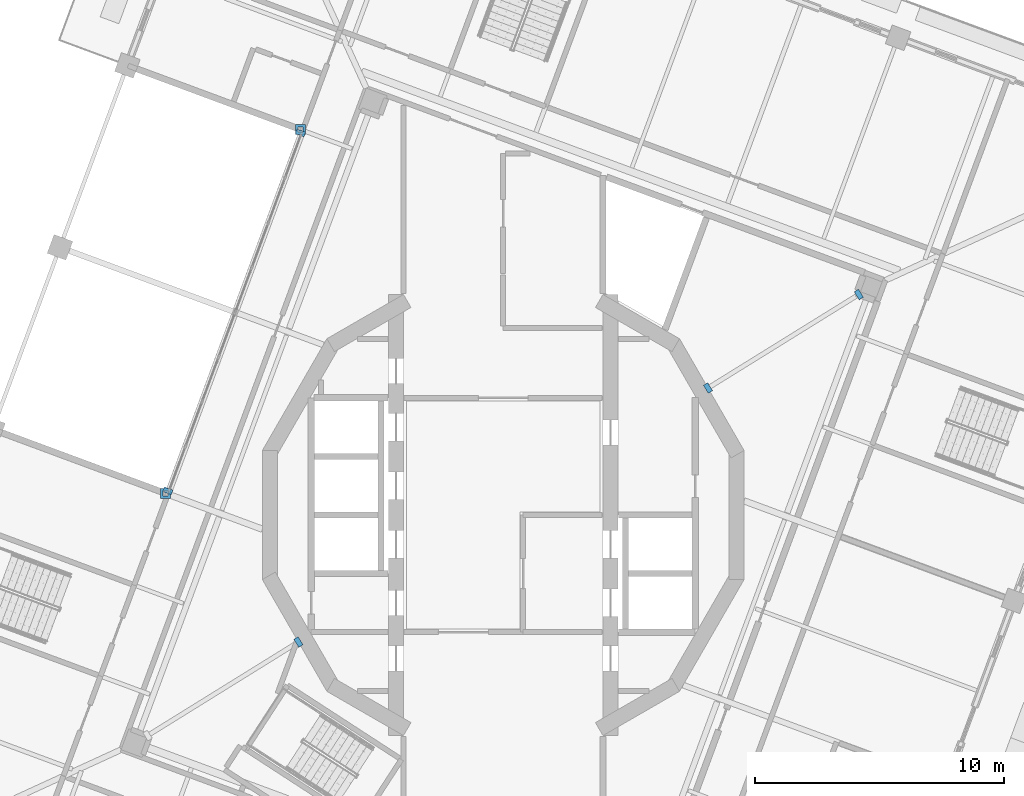
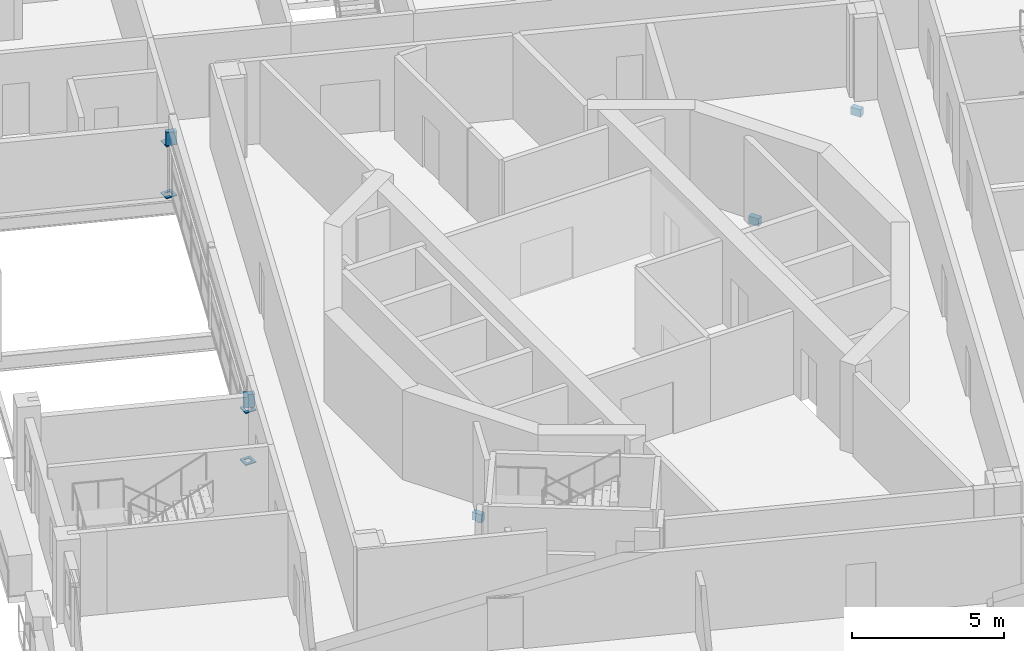
# One storey, part 14 of 20: 9 discrete accessories.
"""IFC4 building model written with IfcOpenShell, lengths in metres."""

from ifc_helpers import new_model, si_unit, direction, frame, origin, place, context, subcontext, project, spatial, polyline, outline, extrude, material, layer, layer_set, type_object, element, save


model = new_model("IFC4")

# Units and contexts
model_context = context("Model", 3, precision=1e-05, world=origin(), true_north=direction((0.0, 1.0)))
body_context = subcontext(model_context, "Body", "Model", "MODEL_VIEW")
ifc_project = project(units=[si_unit("LENGTHUNIT", "METRE"), si_unit("AREAUNIT", "SQUARE_METRE"), si_unit("VOLUMEUNIT", "CUBIC_METRE"), si_unit("PLANEANGLEUNIT", "RADIAN"), si_unit("MASSUNIT", "GRAM", prefix="KILO")], contexts=[model_context])

# Site, building, storey
site_placement = place(None, origin())
site = spatial("IfcSite", under=ifc_project, at=site_placement, CompositionType="ELEMENT")
building_placement = place(site_placement, origin())
building = spatial("IfcBuilding", under=site, at=building_placement, Name="Cantera Rosa Tower", CompositionType="ELEMENT")
storey_placement = place(building_placement, frame((0.0, 0.0, 309.699951171875)))
storey = spatial("IfcBuildingStorey", under=building, at=storey_placement, Name="L68", CompositionType="ELEMENT", Elevation=309.699951171875)

# Discrete accessories
ifc_material = material(Name="Steel ASTM A992 (Fy 345 MPa)", Category="steel")
ifc_layer = layer(ifc_material, 0.0400390625)
ifc_layer_set = layer_set([ifc_layer], Name="STEEL BEARING PLATE 40")
discrete_accessory_type = type_object("IfcDiscreteAccessoryType", Name="STEEL BEARING PLATE 40", PredefinedType="ANCHORPLATE", material=ifc_layer_set)
discrete_accessory_1_placement = place(storey_placement, frame((0.0, 0.0, -0.60595703125)))
element("IfcDiscreteAccessory", 1, at=discrete_accessory_1_placement, inside=storey, type_object=discrete_accessory_type, Name="BEARING PLATE PG-Z6-01 end 2 L68", PredefinedType="ANCHORPLATE", context=body_context, shape_type="SweptSolid", body=[
    extrude(outline(polyline([(-8.1982421875, -5.306640625), (-8.0283203125, -5.201416015625), (-8.2275390625, -4.880126953125), (-8.3974609375, -4.985595703125), (-8.1982421875, -5.306640625)])), origin(), (0.0, 0.0, 1.0), 0.305908203125),
])
discrete_accessory_2_placement = place(storey_placement, frame((0.0, 0.0, -0.60595703125)))
element("IfcDiscreteAccessory", 2, at=discrete_accessory_2_placement, inside=storey, type_object=discrete_accessory_type, Name="BEARING PLATE PG-Z6-02 end 1 L68", PredefinedType="ANCHORPLATE", context=body_context, shape_type="SweptSolid", body=[
    extrude(outline(polyline([(14.277099609375, 8.6318359375), (14.447021484375, 8.7373046875), (14.247802734375, 9.05859375), (14.077880859375, 8.953125), (14.277099609375, 8.6318359375)])), origin(), (0.0, 0.0, 1.0), 0.305908203125),
])
discrete_accessory_3_placement = place(storey_placement, frame((0.0, 0.0, -0.60595703125)))
element("IfcDiscreteAccessory", 3, at=discrete_accessory_3_placement, inside=storey, type_object=discrete_accessory_type, Name="BEARING PLATE PG-Z6-02 end 2 L68", PredefinedType="ANCHORPLATE", context=body_context, shape_type="SweptSolid", body=[
    extrude(outline(polyline([(8.1982421875, 5.306640625), (8.0283203125, 5.201416015625), (8.2275390625, 4.880126953125), (8.3974609375, 4.985595703125), (8.1982421875, 5.306640625)])), origin(), (0.0, 0.0, 1.0), 0.305908203125),
])
for number, where, name in (
    (4, (0.0, 0.0, 0.0), "POST PLATE L68-1F"),
    (5, (0.0, 0.0, 2.090087890625), "POST PLATE L68-1T"),
):
    element("IfcDiscreteAccessory", number, at=place(storey_placement, frame(where)), inside=storey, type_object=discrete_accessory_type, Name=name, PredefinedType="ANCHORPLATE", context=body_context, shape_type="SweptSolid", body=[
        extrude(outline(polyline([(-8.334716796875, 15.260009765625), (-7.934814453125, 15.260009765625), (-7.934814453125, 15.66015625), (-8.334716796875, 15.66015625), (-8.334716796875, 15.260009765625)]), holes=[polyline([(-8.23486328125, 15.360107421875), (-8.034912109375, 15.360107421875), (-8.034912109375, 15.56005859375), (-8.23486328125, 15.56005859375), (-8.23486328125, 15.360107421875)])]), origin(), (0.0, 0.0, 1.0), 0.0400390625),
    ])
for number, where, name in (
    (6, (0.0, 0.0, 0.0), "POST PLATE L68-2F"),
    (7, (0.0, 0.0, 2.090087890625), "POST PLATE L68-2T"),
):
    element("IfcDiscreteAccessory", number, at=place(storey_placement, frame(where)), inside=storey, type_object=discrete_accessory_type, Name=name, PredefinedType="ANCHORPLATE", context=body_context, shape_type="SweptSolid", body=[
        extrude(outline(polyline([(-13.74169921875, 0.669677734375), (-13.341552734375, 0.669677734375), (-13.341552734375, 1.069580078125), (-13.74169921875, 1.069580078125), (-13.74169921875, 0.669677734375)]), holes=[polyline([(-13.6416015625, 0.769775390625), (-13.441650390625, 0.769775390625), (-13.441650390625, 0.9697265625), (-13.6416015625, 0.9697265625), (-13.6416015625, 0.769775390625)])]), origin(), (0.0, 0.0, 1.0), 0.0400390625),
    ])
discrete_accessory_4_placement = place(storey_placement, frame((0.0, 0.0, 2.130126953125)))
element("IfcDiscreteAccessory", 8, at=discrete_accessory_4_placement, inside=storey, type_object=discrete_accessory_type, Name="LINTEL PLATE L68-1", PredefinedType="ANCHORPLATE", context=body_context, shape_type="SweptSolid", body=[
    extrude(outline(polyline([(-7.994384765625, 15.168212890625), (-7.925048828125, 15.355712890625), (-8.268310546875, 15.48291015625), (-8.337646484375, 15.29541015625), (-7.994384765625, 15.168212890625)])), origin(), (0.0, 0.0, 1.0), 0.52783203125),
])
discrete_accessory_5_placement = place(storey_placement, frame((0.0, 0.0, 2.130126953125)))
element("IfcDiscreteAccessory", 9, at=discrete_accessory_5_placement, inside=storey, type_object=discrete_accessory_type, Name="LINTEL PLATE L68-2", PredefinedType="ANCHORPLATE", context=body_context, shape_type="SweptSolid", body=[
    extrude(outline(polyline([(-13.588134765625, 1.126708984375), (-13.65771484375, 0.939208984375), (-13.314453125, 0.81201171875), (-13.2451171875, 0.999755859375), (-13.588134765625, 1.126708984375)])), origin(), (0.0, 0.0, 1.0), 0.52783203125),
])

save(model, "model.ifc")
